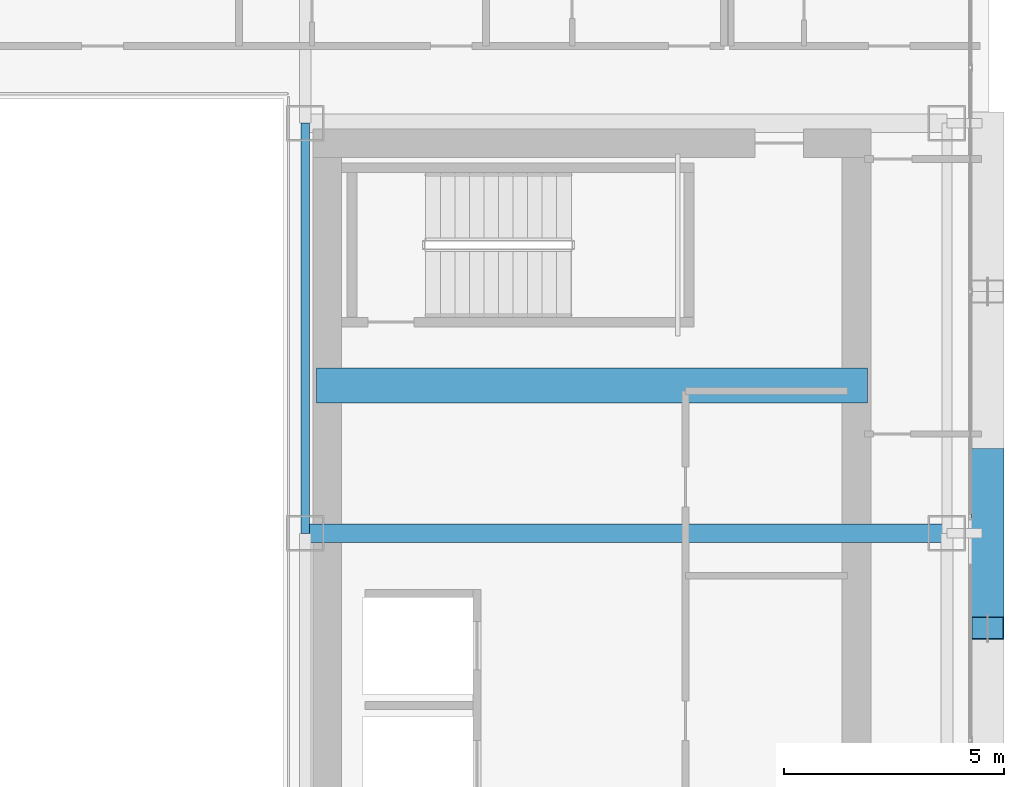
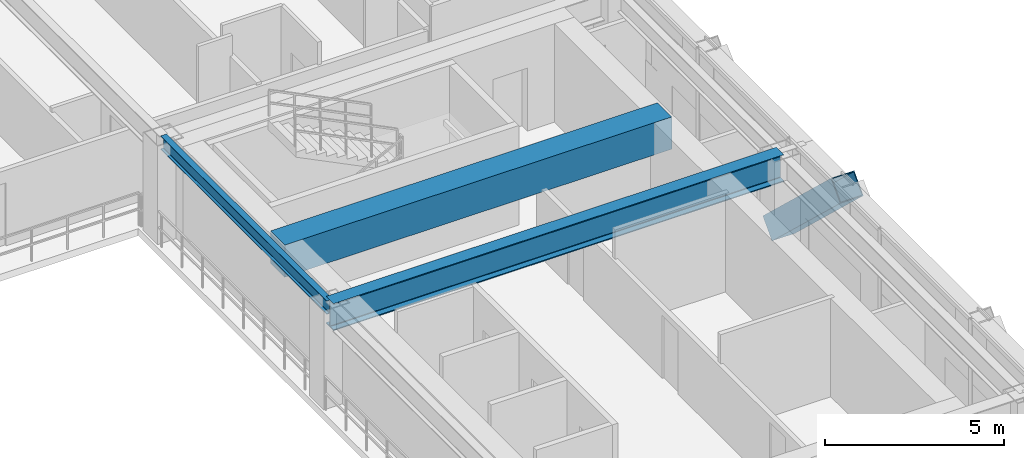
# One storey, part 14 of 35: 3 beams, 1 member.
"""IFC4 building model written with IfcOpenShell, lengths in metres."""

from ifc_helpers import new_model, si_unit, direction, frame, origin, origin_2d, place, context, subcontext, project, spatial, rectangle, hollow_rectangle, i_section, extrude, source, transform, mapped, material, material_profile, profile_set, type_object, element, save


model = new_model("IFC4")

# Units and contexts
model_context = context("Model", 3, precision=1e-05, world=origin(), true_north=direction((0.0, 1.0)))
body_context = subcontext(model_context, "Body", "Model", "MODEL_VIEW")
ifc_project = project(units=[si_unit("LENGTHUNIT", "METRE"), si_unit("AREAUNIT", "SQUARE_METRE"), si_unit("VOLUMEUNIT", "CUBIC_METRE"), si_unit("PLANEANGLEUNIT", "RADIAN"), si_unit("MASSUNIT", "GRAM", prefix="KILO")], contexts=[model_context])

# Site, building, storey
site_placement = place(None, origin())
site = spatial("IfcSite", under=ifc_project, at=site_placement, CompositionType="ELEMENT")
building_placement = place(site_placement, origin())
building = spatial("IfcBuilding", under=site, at=building_placement, Name="Ocotamira Hotel", CompositionType="ELEMENT")
storey_placement = place(building_placement, frame((0.0, 0.0, 118.800048828125)))
storey = spatial("IfcBuildingStorey", under=building, at=storey_placement, Name="L29", CompositionType="ELEMENT", Elevation=118.800048828125)

# Beams
ifc_material_1 = material(Name="Concrete C60/75", Category="concrete")
ifc_material_profile_1 = material_profile(ifc_material_1, rectangle(XDim=0.800048828125, YDim=1.10009765625, at=origin_2d()), Name="RC800X1100")
ifc_profile_set_1 = profile_set([ifc_material_profile_1], Name="Concrete C60/75")
beam_type_1 = type_object("IfcBeamType", Name="BM-LINK-RC800", PredefinedType="LINTEL", material=ifc_profile_set_1)
shared_shape_1 = source(origin(), body_context, "Body", "SweptSolid", [
    extrude(rectangle(XDim=0.800048828125, YDim=1.10009765625, at=origin_2d()), origin(), (0.0, 0.0, 1.0), 12.5),
])
beam_1_placement = place(storey_placement, frame((40.75, 31.5, 2.81005859375), z_axis=(1.0, 0.0, 0.0), x_axis=(0.0, 1.0, 0.0)))
element("IfcBeam", 1, at=beam_1_placement, inside=storey, type_object=beam_type_1, Name="L29 East Core Coupling Beam", PredefinedType="LINTEL", context=body_context, shape_type="MappedRepresentation", body=[
    mapped(shared_shape_1, transform((0.0, 0.0, 0.0), scale=1.0)),
])
ifc_material_2 = material(Name="Steel ASTM A992 Grade 50", Category="steel")
ifc_material_profile_2 = material_profile(ifc_material_2, i_section(OverallWidth=0.41796875, OverallDepth=0.927001953125, WebThickness=0.019287109375, FlangeThickness=0.031982421875, FilletRadius=0.02392578125, at=origin_2d()), Name="W36X231")
ifc_profile_set_2 = profile_set([ifc_material_profile_2], Name="Steel ASTM A992 Grade 50")
beam_type_2 = type_object("IfcBeamType", Name="BM-GIRD-W36X231", PredefinedType="BEAM", material=ifc_profile_set_2)
shared_shape_2 = source(origin(), body_context, "Body", "SweptSolid", [
    extrude(i_section(OverallWidth=0.41796875, OverallDepth=0.927001953125, WebThickness=0.019287109375, FlangeThickness=0.031982421875, FilletRadius=0.02392578125, at=origin_2d()), origin(), (0.0, 0.0, 1.0), 14.550048828125),
])
beam_2_placement = place(storey_placement, frame((40.5, 28.14990234375, 2.896484375), z_axis=(1.0, 0.0, 0.0), x_axis=(0.0, 1.0, 0.0)))
element("IfcBeam", 2, at=beam_2_placement, inside=storey, type_object=beam_type_2, Name="L29 Girder Y28.15 X40.5-55.05", PredefinedType="BEAM", context=body_context, shape_type="MappedRepresentation", body=[
    mapped(shared_shape_2, transform((0.0, 0.0, 0.0), scale=1.0)),
])
ifc_material_profile_3 = material_profile(ifc_material_2, i_section(OverallWidth=0.18994140625, OverallDepth=0.45703125, WebThickness=0.009033203125, FlangeThickness=0.014404296875, FilletRadius=0.010009765625, at=origin_2d()), Name="W18X50")
ifc_profile_set_3 = profile_set([ifc_material_profile_3], Name="Steel ASTM A992 Grade 50")
beam_type_3 = type_object("IfcBeamType", Name="BM-SEC-W18X50", PredefinedType="JOIST", material=ifc_profile_set_3)
shared_shape_3 = source(origin(), body_context, "Body", "SweptSolid", [
    extrude(i_section(OverallWidth=0.18994140625, OverallDepth=0.45703125, WebThickness=0.009033203125, FlangeThickness=0.014404296875, FilletRadius=0.010009765625, at=origin_2d()), origin(), (0.0, 0.0, 1.0), 9.300048828125),
])
beam_3_placement = place(storey_placement, frame((40.5, 28.14990234375, 3.13134765625), z_axis=(0.0, 1.0, 0.0), x_axis=(-1.0, 0.0, 0.0)))
element("IfcBeam", 3, at=beam_3_placement, inside=storey, type_object=beam_type_3, Name="L29 Beam X40.5 Y28.15-37.45", PredefinedType="JOIST", context=body_context, shape_type="MappedRepresentation", body=[
    mapped(shared_shape_3, transform((0.0, 0.0, 0.0), scale=1.0)),
])

# Member
ifc_material_3 = material(Name="Pale-metal coated steel ASTM A913 Grade 65", Category="steel")
ifc_material_profile_4 = material_profile(ifc_material_3, hollow_rectangle(XDim=0.75, YDim=0.75, WallThickness=0.028076171875, at=origin_2d()), Name="BOX750X750X28")
ifc_profile_set_4 = profile_set([ifc_material_profile_4], Name="Pale-metal coated steel ASTM A913 Grade 65")
member_type = type_object("IfcMemberType", Name="MEM-EXO-BOX750", PredefinedType="BRACE", material=ifc_profile_set_4)
shared_shape_4 = source(origin(), body_context, "Body", "SweptSolid", [
    extrude(hollow_rectangle(XDim=0.75, YDim=0.75, WallThickness=0.028076171875, at=origin_2d()), origin(), (0.0, 0.0, 1.0), 5.24658203125),
])
member_placement = place(storey_placement, frame((55.969970703125, 29.816650390625, -0.489990234375), z_axis=(0.0, -0.72746596067, 0.686143772154), x_axis=(1.0, 0.0, 0.0)))
element("IfcMember", 4, at=member_placement, inside=storey, type_object=member_type, Name="L29 Exoskeleton Diagrid E1.2", PredefinedType="BRACE", context=body_context, shape_type="MappedRepresentation", body=[
    mapped(shared_shape_4, transform((0.0, 0.0, 0.0), scale=1.0)),
])

save(model, "model.ifc")
